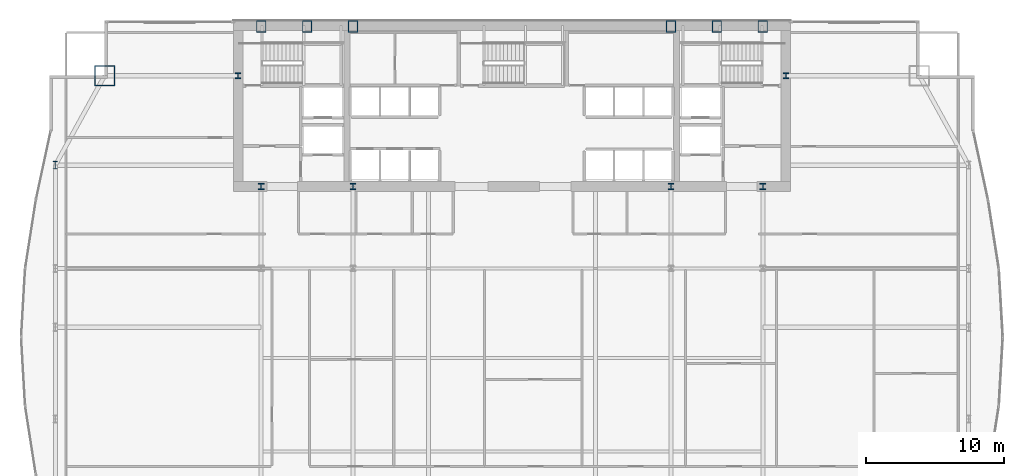
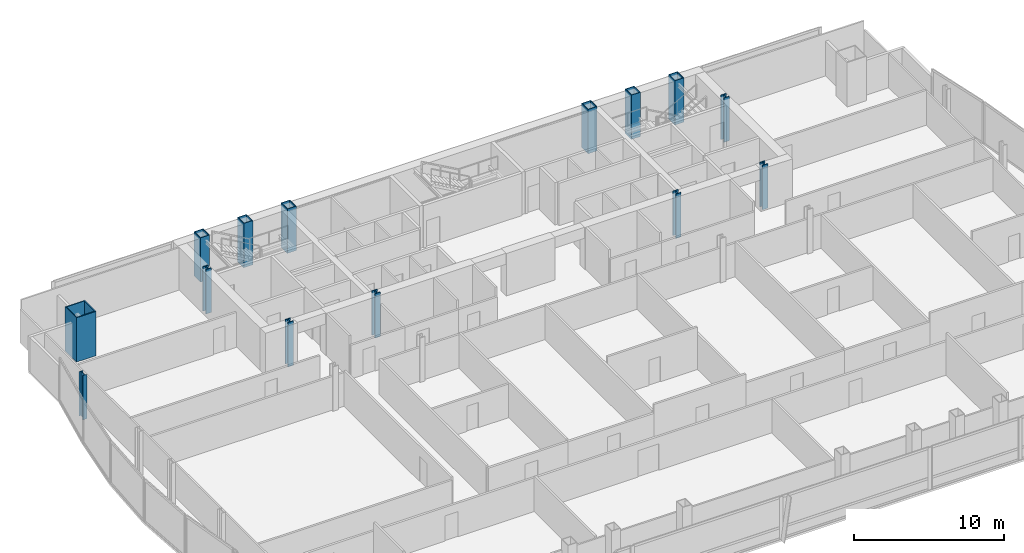
# One storey, part 3 of 32: 14 columns.
"""IFC4 building model written with IfcOpenShell, lengths in metres."""

from ifc_helpers import new_model, si_unit, direction, frame, origin, origin_2d, place, context, subcontext, project, spatial, hollow_rectangle, i_section, extrude, material, material_profile, profile_set, type_object, element, save


model = new_model("IFC4")

# Units and contexts
model_context = context("Model", 3, precision=1e-05, world=origin(), true_north=direction((0.0, 1.0)))
body_context = subcontext(model_context, "Body", "Model", "MODEL_VIEW")
ifc_project = project(units=[si_unit("LENGTHUNIT", "METRE"), si_unit("AREAUNIT", "SQUARE_METRE"), si_unit("VOLUMEUNIT", "CUBIC_METRE"), si_unit("PLANEANGLEUNIT", "RADIAN"), si_unit("MASSUNIT", "GRAM", prefix="KILO")], contexts=[model_context])

# Site, building, storey
site_placement = place(None, origin())
site = spatial("IfcSite", under=ifc_project, at=site_placement, CompositionType="ELEMENT")
building_placement = place(site_placement, origin())
building = spatial("IfcBuilding", under=site, at=building_placement, Name="Khoronbel Lancet Exchange", CompositionType="ELEMENT")
storey_placement = place(building_placement, frame((0.0, 0.0, 111.0)))
storey = spatial("IfcBuildingStorey", under=building, at=storey_placement, Name="L26", CompositionType="ELEMENT", Elevation=111.0)

# Columns
ifc_material_1 = material(Name="Steel S460", Category="steel")
ifc_material_profile_1 = material_profile(ifc_material_1, hollow_rectangle(XDim=0.699951171875, YDim=0.85009765625, WallThickness=0.050048828125, at=origin_2d()), Name="BOX 850x700x50")
ifc_profile_set_1 = profile_set([ifc_material_profile_1], Name="Steel S460")
column_type_1 = type_object("IfcColumnType", Name="COL-EC2", PredefinedType="COLUMN", material=ifc_profile_set_1)
for number, where, z_axis, x_axis, name in (
    (1, (18.22509765625, 53.280029296875, 0.0), (0.0, 0.0, 1.0), (1.0, 0.0, 0.0), "Structural column NC-W1 L26"),
    (2, (21.5625, 53.280029296875, 0.0), (0.0, 0.0, 1.0), (1.0, 0.0, 0.0), "Structural column NC-WM L26"),
    (3, (24.89990234375, 53.280029296875, 0.0), (0.0, 0.0, 1.0), (1.0, 0.0, 0.0), "Structural column NC-W2 L26"),
    (4, (48.0, 53.280029296875, 0.0), (0.0, 0.0, 1.0), (1.0, 0.0, 0.0), "Structural column NC-E1 L26"),
    (5, (51.33740234375, 53.280029296875, 0.0), (0.0, 0.0, 1.0), (1.0, 0.0, 0.0), "Structural column NC-EM L26"),
    (6, (54.675048828125, 53.280029296875, 0.0), (0.0, 0.0, 1.0), (1.0, 0.0, 0.0), "Structural column NC-E2 L26"),
):
    element("IfcColumn", number, at=place(storey_placement, frame(where, z_axis=z_axis, x_axis=x_axis)), inside=storey, type_object=column_type_1, Name=name, PredefinedType="COLUMN", context=body_context, shape_type="SweptSolid", body=[
        extrude(hollow_rectangle(XDim=0.699951171875, YDim=0.85009765625, WallThickness=0.050048828125, at=origin_2d()), origin(), (0.0, 0.0, 1.0), 3.60009765625),
    ])
ifc_material_profile_2 = material_profile(ifc_material_1, i_section(OverallWidth=0.416015625, OverallDepth=0.446044921875, WebThickness=0.0390625, FlangeThickness=0.062744140625, at=origin_2d()), Name="HD 400x509")
ifc_profile_set_2 = profile_set([ifc_material_profile_2], Name="Steel S460")
column_type_2 = type_object("IfcColumnType", Name="COL-IC2", PredefinedType="COLUMN", material=ifc_profile_set_2)
for number, where, z_axis, x_axis, name in (
    (7, (16.550048828125, 49.699951171875, 0.0), (0.0, 0.0, 1.0), (1.0, 0.0, 0.0), "Core-flank plumb transfer column CFW L26"),
    (8, (56.35009765625, 49.699951171875, 0.0), (0.0, 0.0, 1.0), (1.0, 0.0, 0.0), "Core-flank plumb transfer column CFE L26"),
    (9, (18.22509765625, 41.64990234375, 0.0), (0.0, 0.0, 1.0), (1.0, 0.0, 0.0), "Core-embedded steel column CTC1 L26"),
    (10, (24.89990234375, 41.64990234375, 0.0), (0.0, 0.0, 1.0), (1.0, 0.0, 0.0), "Core-embedded steel column CTC2 L26"),
    (11, (48.0, 41.64990234375, 0.0), (0.0, 0.0, 1.0), (1.0, 0.0, 0.0), "Core-embedded steel column CTC3 L26"),
    (12, (54.675048828125, 41.64990234375, 0.0), (0.0, 0.0, 1.0), (1.0, 0.0, 0.0), "Core-embedded steel column CTC4 L26"),
):
    element("IfcColumn", number, at=place(storey_placement, frame(where, z_axis=z_axis, x_axis=x_axis)), inside=storey, type_object=column_type_2, Name=name, PredefinedType="COLUMN", context=body_context, shape_type="SweptSolid", body=[
        extrude(i_section(OverallWidth=0.416015625, OverallDepth=0.446044921875, WebThickness=0.0390625, FlangeThickness=0.062744140625, at=origin_2d()), origin(), (0.0, 0.0, 1.0), 3.60009765625),
    ])
ifc_material_2 = material(Name="Steel S355", Category="steel")
ifc_material_profile_3 = material_profile(ifc_material_2, i_section(OverallWidth=0.300048828125, OverallDepth=0.550048828125, WebThickness=0.014892578125, FlangeThickness=0.029052734375, at=origin_2d()), Name="HEB 550")
ifc_profile_set_3 = profile_set([ifc_material_profile_3], Name="Steel S355")
column_type_3 = type_object("IfcColumnType", Name="COL-LC1", PredefinedType="COLUMN", material=ifc_profile_set_3)
column_1_placement = place(storey_placement, frame((3.27001953125, 43.199951171875, 0.0), z_axis=(0.0, 0.0, 1.0), x_axis=(1.0, 0.0, 0.0)))
element("IfcColumn", 13, at=column_1_placement, inside=storey, type_object=column_type_3, Name="Structural column WC-4 L26", PredefinedType="COLUMN", context=body_context, shape_type="SweptSolid", body=[
    extrude(i_section(OverallWidth=0.300048828125, OverallDepth=0.550048828125, WebThickness=0.014892578125, FlangeThickness=0.029052734375, at=origin_2d()), origin(), (0.0, 0.0, 1.0), 3.60009765625),
])
ifc_material_profile_4 = material_profile(ifc_material_1, hollow_rectangle(XDim=1.5, YDim=1.5, WallThickness=0.070068359375, at=origin_2d()), Name="BOX 1500x1500x70")
ifc_profile_set_4 = profile_set([ifc_material_profile_4], Name="Steel S460")
column_type_4 = type_object("IfcColumnType", Name="COL-MC3", PredefinedType="COLUMN", material=ifc_profile_set_4)
column_2_placement = place(storey_placement, frame((6.85009765625, 49.699951171875, 0.0), z_axis=(0.0, 0.0, 1.0), x_axis=(1.0, 0.0, 0.0)))
element("IfcColumn", 14, at=column_2_placement, inside=storey, type_object=column_type_4, Name="Structural column MC-NW L26", PredefinedType="COLUMN", context=body_context, shape_type="SweptSolid", body=[
    extrude(hollow_rectangle(XDim=1.5, YDim=1.5, WallThickness=0.070068359375, at=origin_2d()), origin(), (0.0, 0.0, 1.0), 3.60009765625),
])

save(model, "model.ifc")
